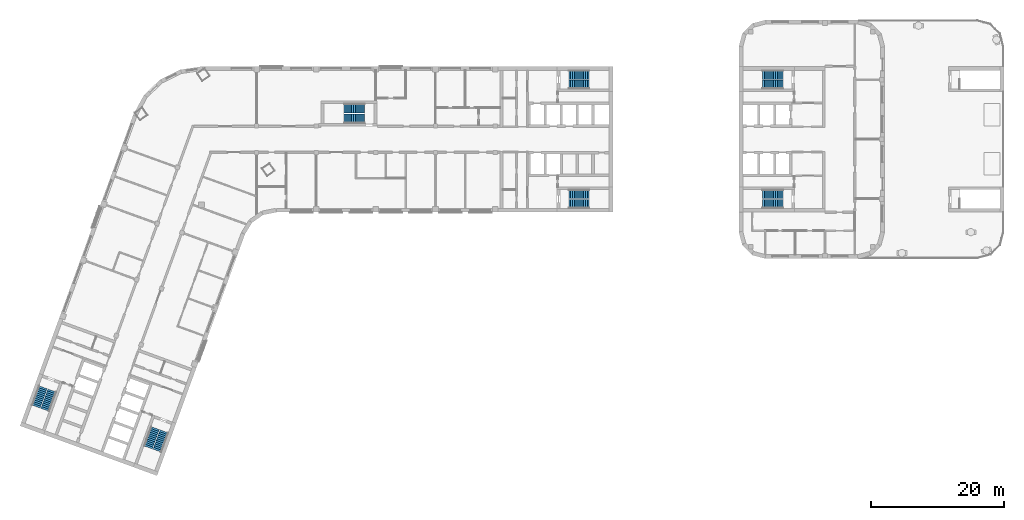
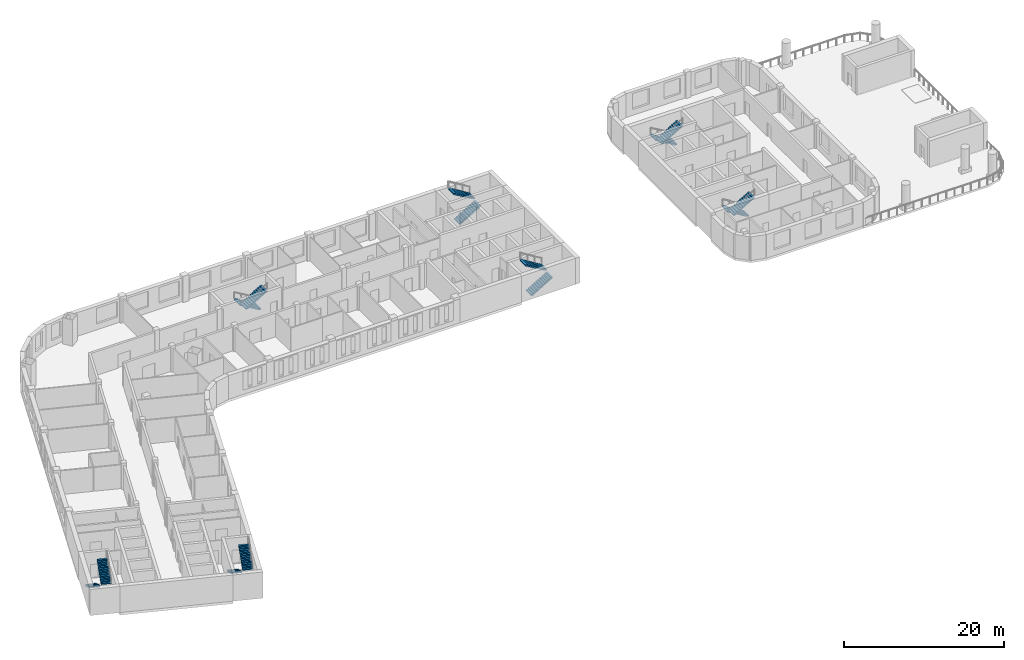
# One storey, part 10 of 14: 14 stair flights, 7 elements without a shape of their own.
"""IFC4 building model written with IfcOpenShell, lengths in metres."""

from ifc_helpers import new_model, si_unit, direction, frame, origin, place, context, subcontext, project, spatial, polyline, outline, extrude, material, type_object, element, aggregate, save


model = new_model("IFC4")

# Units and contexts
model_context = context("Model", 3, precision=1e-05, world=origin(), true_north=direction((0.0, 1.0)))
body_context = subcontext(model_context, "Body", "Model", "MODEL_VIEW")
ifc_project = project(units=[si_unit("LENGTHUNIT", "METRE"), si_unit("AREAUNIT", "SQUARE_METRE"), si_unit("VOLUMEUNIT", "CUBIC_METRE"), si_unit("PLANEANGLEUNIT", "RADIAN"), si_unit("MASSUNIT", "GRAM", prefix="KILO")], contexts=[model_context])

# Site, building, storey
site_placement = place(None, origin())
site = spatial("IfcSite", under=ifc_project, at=site_placement, CompositionType="ELEMENT")
building_placement = place(site_placement, origin())
building = spatial("IfcBuilding", under=site, at=building_placement, Name="Skarvind Civic Tower", CompositionType="ELEMENT")
storey_placement = place(building_placement, frame((0.0, 0.0, 89.0)))
storey = spatial("IfcBuildingStorey", under=building, at=storey_placement, Name="L20", CompositionType="ELEMENT", Elevation=89.0)

# Stair, stair flights
ifc_material = material(Name="Concrete C40/50", Category="concrete")
stair_type_1 = type_object("IfcStairType", Name="Exit stair 1450, half-turn, concrete", PredefinedType="HALF_TURN_STAIR", material=ifc_material)
stair_1_placement = place(storey_placement, origin())
stair_1 = element("IfcStair", 1, at=stair_1_placement, inside=storey, type_object=stair_type_1, Name="Exit stair CM", PredefinedType="HALF_TURN_STAIR")
stair_flight_type_1 = type_object("IfcStairFlightType", Name="Stair flight 1450, concrete", PredefinedType="STRAIGHT", material=ifc_material)
stair_flight_1_placement = place(storey_placement, frame((70.550048828125, 132.675048828125, 0.0), z_axis=(0.0, 0.0, 1.0), x_axis=(-1.0, 0.0, 0.0)))
stair_flight_1 = element("IfcStairFlight", 2, at=stair_flight_1_placement, type_object=stair_flight_type_1, Name="ST-CM flight 1", NumberOfRisers=12, NumberOfTreads=11, PredefinedType="STRAIGHT", RiserHeight=0.166666667, TreadLength=0.28, context=body_context, shape_type="SweptSolid", body=[
    extrude(outline(polyline([(0.0, 0.0), (0.0, 0.166748046875), (0.280029296875, 0.166748046875), (0.280029296875, 0.333251953125), (0.56005859375, 0.333251953125), (0.56005859375, 0.5), (0.840087890625, 0.5), (0.840087890625, 0.666748046875), (1.1201171875, 0.666748046875), (1.1201171875, 0.833251953125), (1.39990234375, 0.833251953125), (1.39990234375, 1.0), (1.679931640625, 1.0), (1.679931640625, 1.166748046875), (1.9599609375, 1.166748046875), (1.9599609375, 1.333251953125), (2.239990234375, 1.333251953125), (2.239990234375, 1.5), (2.52001953125, 1.5), (2.52001953125, 1.666748046875), (2.800048828125, 1.666748046875), (2.800048828125, 1.833251953125), (3.080078125, 1.833251953125), (3.080078125, 2.0), (3.080078125, 1.658935546875), (0.29296875, 0.0), (0.0, 0.0)])), frame((0.0, 0.72509765625, 0.0), z_axis=(0.0, -1.0, 0.0), x_axis=(1.0, 0.0, 0.0)), (0.0, 0.0, 1.0), 1.449951171875),
])
stair_flight_2_placement = place(storey_placement, frame((67.469970703125, 131.125, 2.0), z_axis=(0.0, 0.0, 1.0), x_axis=(1.0, 0.0, 0.0)))
stair_flight_2 = element("IfcStairFlight", 3, at=stair_flight_2_placement, type_object=stair_flight_type_1, Name="ST-CM flight 2", NumberOfRisers=12, NumberOfTreads=11, PredefinedType="STRAIGHT", RiserHeight=0.166666667, TreadLength=0.28, context=body_context, shape_type="SweptSolid", body=[
    extrude(outline(polyline([(0.0, 0.0), (0.0, 0.166748046875), (0.280029296875, 0.166748046875), (0.280029296875, 0.333251953125), (0.56005859375, 0.333251953125), (0.56005859375, 0.5), (0.840087890625, 0.5), (0.840087890625, 0.666748046875), (1.1201171875, 0.666748046875), (1.1201171875, 0.833251953125), (1.39990234375, 0.833251953125), (1.39990234375, 1.0), (1.679931640625, 1.0), (1.679931640625, 1.166748046875), (1.9599609375, 1.166748046875), (1.9599609375, 1.333251953125), (2.239990234375, 1.333251953125), (2.239990234375, 1.5), (2.52001953125, 1.5), (2.52001953125, 1.666748046875), (2.800048828125, 1.666748046875), (2.800048828125, 1.833251953125), (3.080078125, 1.833251953125), (3.080078125, 2.0), (3.080078125, 1.658935546875), (0.29296875, 0.0), (0.0, 0.0)])), frame((0.0, 0.72509765625, 0.0), z_axis=(0.0, -1.0, 0.0), x_axis=(1.0, 0.0, 0.0)), (0.0, 0.0, 1.0), 1.449951171875),
])
aggregate(stair_1, [stair_flight_1, stair_flight_2])

stair_type_2 = type_object("IfcStairType", Name="Exit stair, half-turn, concrete", PredefinedType="HALF_TURN_STAIR", material=ifc_material)
stair_2_placement = place(storey_placement, origin())
stair_2 = element("IfcStair", 4, at=stair_2_placement, inside=storey, type_object=stair_type_2, Name="Exit stair C1S", PredefinedType="HALF_TURN_STAIR")
stair_flight_type_2 = type_object("IfcStairFlightType", Name="Stair flight, concrete", PredefinedType="STRAIGHT", material=ifc_material)
stair_flight_3_placement = place(storey_placement, frame((101.35009765625, 136.27490234375, 0.0), z_axis=(0.0, 0.0, 1.0), x_axis=(1.0, 0.0, 0.0)))
stair_flight_3 = element("IfcStairFlight", 5, at=stair_flight_3_placement, type_object=stair_flight_type_2, Name="ST-C1S flight 1", NumberOfRisers=12, NumberOfTreads=11, PredefinedType="STRAIGHT", RiserHeight=0.166666667, TreadLength=0.28, context=body_context, shape_type="SweptSolid", body=[
    extrude(outline(polyline([(0.0, 0.0), (0.0, 0.166748046875), (0.280029296875, 0.166748046875), (0.280029296875, 0.333251953125), (0.56005859375, 0.333251953125), (0.56005859375, 0.5), (0.840087890625, 0.5), (0.840087890625, 0.666748046875), (1.1201171875, 0.666748046875), (1.1201171875, 0.833251953125), (1.39990234375, 0.833251953125), (1.39990234375, 1.0), (1.679931640625, 1.0), (1.679931640625, 1.166748046875), (1.9599609375, 1.166748046875), (1.9599609375, 1.333251953125), (2.239990234375, 1.333251953125), (2.239990234375, 1.5), (2.52001953125, 1.5), (2.52001953125, 1.666748046875), (2.800048828125, 1.666748046875), (2.800048828125, 1.833251953125), (3.080078125, 1.833251953125), (3.080078125, 2.0), (3.080078125, 1.658935546875), (0.29296875, 0.0), (0.0, 0.0)])), frame((0.0, 0.675048828125, 0.0), z_axis=(0.0, -1.0, 0.0), x_axis=(1.0, 0.0, 0.0)), (0.0, 0.0, 1.0), 1.35009765625),
])
stair_flight_4_placement = place(storey_placement, frame((104.429931640625, 137.72509765625, 2.0), z_axis=(0.0, 0.0, 1.0), x_axis=(-1.0, 0.0, 0.0)))
stair_flight_4 = element("IfcStairFlight", 6, at=stair_flight_4_placement, type_object=stair_flight_type_2, Name="ST-C1S flight 2", NumberOfRisers=12, NumberOfTreads=11, PredefinedType="STRAIGHT", RiserHeight=0.166666667, TreadLength=0.28, context=body_context, shape_type="SweptSolid", body=[
    extrude(outline(polyline([(0.0, 0.0), (0.0, 0.166748046875), (0.280029296875, 0.166748046875), (0.280029296875, 0.333251953125), (0.56005859375, 0.333251953125), (0.56005859375, 0.5), (0.840087890625, 0.5), (0.840087890625, 0.666748046875), (1.1201171875, 0.666748046875), (1.1201171875, 0.833251953125), (1.39990234375, 0.833251953125), (1.39990234375, 1.0), (1.679931640625, 1.0), (1.679931640625, 1.166748046875), (1.9599609375, 1.166748046875), (1.9599609375, 1.333251953125), (2.239990234375, 1.333251953125), (2.239990234375, 1.5), (2.52001953125, 1.5), (2.52001953125, 1.666748046875), (2.800048828125, 1.666748046875), (2.800048828125, 1.833251953125), (3.080078125, 1.833251953125), (3.080078125, 2.0), (3.080078125, 1.658935546875), (0.29296875, 0.0), (0.0, 0.0)])), frame((0.0, 0.675048828125, 0.0), z_axis=(0.0, -1.0, 0.0), x_axis=(1.0, 0.0, 0.0)), (0.0, 0.0, 1.0), 1.35009765625),
])
aggregate(stair_2, [stair_flight_3, stair_flight_4])

stair_3_placement = place(storey_placement, origin())
stair_3 = element("IfcStair", 7, at=stair_3_placement, inside=storey, type_object=stair_type_2, Name="Exit stair C1N", PredefinedType="HALF_TURN_STAIR")
stair_flight_5_placement = place(storey_placement, frame((101.35009765625, 118.27490234375, 0.0), z_axis=(0.0, 0.0, 1.0), x_axis=(1.0, 0.0, 0.0)))
stair_flight_5 = element("IfcStairFlight", 8, at=stair_flight_5_placement, type_object=stair_flight_type_2, Name="ST-C1N flight 1", NumberOfRisers=12, NumberOfTreads=11, PredefinedType="STRAIGHT", RiserHeight=0.166666667, TreadLength=0.28, context=body_context, shape_type="SweptSolid", body=[
    extrude(outline(polyline([(0.0, 0.0), (0.0, 0.166748046875), (0.280029296875, 0.166748046875), (0.280029296875, 0.333251953125), (0.56005859375, 0.333251953125), (0.56005859375, 0.5), (0.840087890625, 0.5), (0.840087890625, 0.666748046875), (1.1201171875, 0.666748046875), (1.1201171875, 0.833251953125), (1.39990234375, 0.833251953125), (1.39990234375, 1.0), (1.679931640625, 1.0), (1.679931640625, 1.166748046875), (1.9599609375, 1.166748046875), (1.9599609375, 1.333251953125), (2.239990234375, 1.333251953125), (2.239990234375, 1.5), (2.52001953125, 1.5), (2.52001953125, 1.666748046875), (2.800048828125, 1.666748046875), (2.800048828125, 1.833251953125), (3.080078125, 1.833251953125), (3.080078125, 2.0), (3.080078125, 1.658935546875), (0.29296875, 0.0), (0.0, 0.0)])), frame((0.0, 0.675048828125, 0.0), z_axis=(0.0, -1.0, 0.0), x_axis=(1.0, 0.0, 0.0)), (0.0, 0.0, 1.0), 1.35009765625),
])
stair_flight_6_placement = place(storey_placement, frame((104.429931640625, 119.72509765625, 2.0), z_axis=(0.0, 0.0, 1.0), x_axis=(-1.0, 0.0, 0.0)))
stair_flight_6 = element("IfcStairFlight", 9, at=stair_flight_6_placement, type_object=stair_flight_type_2, Name="ST-C1N flight 2", NumberOfRisers=12, NumberOfTreads=11, PredefinedType="STRAIGHT", RiserHeight=0.166666667, TreadLength=0.28, context=body_context, shape_type="SweptSolid", body=[
    extrude(outline(polyline([(0.0, 0.0), (0.0, 0.166748046875), (0.280029296875, 0.166748046875), (0.280029296875, 0.333251953125), (0.56005859375, 0.333251953125), (0.56005859375, 0.5), (0.840087890625, 0.5), (0.840087890625, 0.666748046875), (1.1201171875, 0.666748046875), (1.1201171875, 0.833251953125), (1.39990234375, 0.833251953125), (1.39990234375, 1.0), (1.679931640625, 1.0), (1.679931640625, 1.166748046875), (1.9599609375, 1.166748046875), (1.9599609375, 1.333251953125), (2.239990234375, 1.333251953125), (2.239990234375, 1.5), (2.52001953125, 1.5), (2.52001953125, 1.666748046875), (2.800048828125, 1.666748046875), (2.800048828125, 1.833251953125), (3.080078125, 1.833251953125), (3.080078125, 2.0), (3.080078125, 1.658935546875), (0.29296875, 0.0), (0.0, 0.0)])), frame((0.0, 0.675048828125, 0.0), z_axis=(0.0, -1.0, 0.0), x_axis=(1.0, 0.0, 0.0)), (0.0, 0.0, 1.0), 1.35009765625),
])
aggregate(stair_3, [stair_flight_5, stair_flight_6])

stair_4_placement = place(storey_placement, origin())
stair_4 = element("IfcStair", 10, at=stair_4_placement, inside=storey, type_object=stair_type_2, Name="Exit stair C2S", PredefinedType="HALF_TURN_STAIR")
stair_flight_7_placement = place(storey_placement, frame((38.949462890625, 84.43408203125, 0.0), z_axis=(0.0, 0.0, 1.0), x_axis=(-0.342020143326, -0.939692620786, 0.0)))
stair_flight_7 = element("IfcStairFlight", 11, at=stair_flight_7_placement, type_object=stair_flight_type_2, Name="ST-C2S flight 1", NumberOfRisers=12, NumberOfTreads=11, PredefinedType="STRAIGHT", RiserHeight=0.166666667, TreadLength=0.28, context=body_context, shape_type="SweptSolid", body=[
    extrude(outline(polyline([(0.0, 0.0), (0.0, 0.166748046875), (0.280029296875, 0.166748046875), (0.280029296875, 0.333251953125), (0.56005859375, 0.333251953125), (0.56005859375, 0.5), (0.840087890625, 0.5), (0.840087890625, 0.666748046875), (1.1201171875, 0.666748046875), (1.1201171875, 0.833251953125), (1.39990234375, 0.833251953125), (1.39990234375, 1.0), (1.679931640625, 1.0), (1.679931640625, 1.166748046875), (1.9599609375, 1.166748046875), (1.9599609375, 1.333251953125), (2.239990234375, 1.333251953125), (2.239990234375, 1.5), (2.52001953125, 1.5), (2.52001953125, 1.666748046875), (2.800048828125, 1.666748046875), (2.800048828125, 1.833251953125), (3.080078125, 1.833251953125), (3.080078125, 2.0), (3.080078125, 1.658935546875), (0.29296875, 0.0), (0.0, 0.0)])), frame((0.0, 0.675048828125, 0.0), z_axis=(0.0, -1.0, 0.0), x_axis=(1.0, 0.0, 0.0)), (0.0, 0.0, 1.0), 1.35009765625),
])
stair_flight_8_placement = place(storey_placement, frame((39.258544921875, 81.0439453125, 2.0), z_axis=(0.0, 0.0, 1.0), x_axis=(0.342020143326, 0.939692620786, 0.0)))
stair_flight_8 = element("IfcStairFlight", 12, at=stair_flight_8_placement, type_object=stair_flight_type_2, Name="ST-C2S flight 2", NumberOfRisers=12, NumberOfTreads=11, PredefinedType="STRAIGHT", RiserHeight=0.166666667, TreadLength=0.28, context=body_context, shape_type="SweptSolid", body=[
    extrude(outline(polyline([(0.0, 0.0), (0.0, 0.166748046875), (0.280029296875, 0.166748046875), (0.280029296875, 0.333251953125), (0.56005859375, 0.333251953125), (0.56005859375, 0.5), (0.840087890625, 0.5), (0.840087890625, 0.666748046875), (1.1201171875, 0.666748046875), (1.1201171875, 0.833251953125), (1.39990234375, 0.833251953125), (1.39990234375, 1.0), (1.679931640625, 1.0), (1.679931640625, 1.166748046875), (1.9599609375, 1.166748046875), (1.9599609375, 1.333251953125), (2.239990234375, 1.333251953125), (2.239990234375, 1.5), (2.52001953125, 1.5), (2.52001953125, 1.666748046875), (2.800048828125, 1.666748046875), (2.800048828125, 1.833251953125), (3.080078125, 1.833251953125), (3.080078125, 2.0), (3.080078125, 1.658935546875), (0.29296875, 0.0), (0.0, 0.0)])), frame((0.0, 0.675048828125, 0.0), z_axis=(0.0, -1.0, 0.0), x_axis=(1.0, 0.0, 0.0)), (0.0, 0.0, 1.0), 1.35009765625),
])
aggregate(stair_4, [stair_flight_7, stair_flight_8])

stair_5_placement = place(storey_placement, origin())
stair_5 = element("IfcStair", 13, at=stair_5_placement, inside=storey, type_object=stair_type_2, Name="Exit stair C2N", PredefinedType="HALF_TURN_STAIR")
stair_flight_9_placement = place(storey_placement, frame((22.034912109375, 90.590576171875, 0.0), z_axis=(0.0, 0.0, 1.0), x_axis=(-0.342020143326, -0.939692620786, 0.0)))
stair_flight_9 = element("IfcStairFlight", 14, at=stair_flight_9_placement, type_object=stair_flight_type_2, Name="ST-C2N flight 1", NumberOfRisers=12, NumberOfTreads=11, PredefinedType="STRAIGHT", RiserHeight=0.166666667, TreadLength=0.28, context=body_context, shape_type="SweptSolid", body=[
    extrude(outline(polyline([(0.0, 0.0), (0.0, 0.166748046875), (0.280029296875, 0.166748046875), (0.280029296875, 0.333251953125), (0.56005859375, 0.333251953125), (0.56005859375, 0.5), (0.840087890625, 0.5), (0.840087890625, 0.666748046875), (1.1201171875, 0.666748046875), (1.1201171875, 0.833251953125), (1.39990234375, 0.833251953125), (1.39990234375, 1.0), (1.679931640625, 1.0), (1.679931640625, 1.166748046875), (1.9599609375, 1.166748046875), (1.9599609375, 1.333251953125), (2.239990234375, 1.333251953125), (2.239990234375, 1.5), (2.52001953125, 1.5), (2.52001953125, 1.666748046875), (2.800048828125, 1.666748046875), (2.800048828125, 1.833251953125), (3.080078125, 1.833251953125), (3.080078125, 2.0), (3.080078125, 1.658935546875), (0.29296875, 0.0), (0.0, 0.0)])), frame((0.0, 0.675048828125, 0.0), z_axis=(0.0, -1.0, 0.0), x_axis=(1.0, 0.0, 0.0)), (0.0, 0.0, 1.0), 1.35009765625),
])
stair_flight_10_placement = place(storey_placement, frame((22.343994140625, 87.2001953125, 2.0), z_axis=(0.0, 0.0, 1.0), x_axis=(0.342020143326, 0.939692620786, 0.0)))
stair_flight_10 = element("IfcStairFlight", 15, at=stair_flight_10_placement, type_object=stair_flight_type_2, Name="ST-C2N flight 2", NumberOfRisers=12, NumberOfTreads=11, PredefinedType="STRAIGHT", RiserHeight=0.166666667, TreadLength=0.28, context=body_context, shape_type="SweptSolid", body=[
    extrude(outline(polyline([(0.0, 0.0), (0.0, 0.166748046875), (0.280029296875, 0.166748046875), (0.280029296875, 0.333251953125), (0.56005859375, 0.333251953125), (0.56005859375, 0.5), (0.840087890625, 0.5), (0.840087890625, 0.666748046875), (1.1201171875, 0.666748046875), (1.1201171875, 0.833251953125), (1.39990234375, 0.833251953125), (1.39990234375, 1.0), (1.679931640625, 1.0), (1.679931640625, 1.166748046875), (1.9599609375, 1.166748046875), (1.9599609375, 1.333251953125), (2.239990234375, 1.333251953125), (2.239990234375, 1.5), (2.52001953125, 1.5), (2.52001953125, 1.666748046875), (2.800048828125, 1.666748046875), (2.800048828125, 1.833251953125), (3.080078125, 1.833251953125), (3.080078125, 2.0), (3.080078125, 1.658935546875), (0.29296875, 0.0), (0.0, 0.0)])), frame((0.0, 0.675048828125, 0.0), z_axis=(0.0, -1.0, 0.0), x_axis=(1.0, 0.0, 0.0)), (0.0, 0.0, 1.0), 1.35009765625),
])
aggregate(stair_5, [stair_flight_9, stair_flight_10])

stair_6_placement = place(storey_placement, origin())
stair_6 = element("IfcStair", 16, at=stair_6_placement, inside=storey, type_object=stair_type_2, Name="Exit stair CAS", PredefinedType="HALF_TURN_STAIR")
stair_flight_11_placement = place(storey_placement, frame((133.64990234375, 119.72509765625, 0.0), z_axis=(0.0, 0.0, 1.0), x_axis=(-1.0, 0.0, 0.0)))
stair_flight_11 = element("IfcStairFlight", 17, at=stair_flight_11_placement, type_object=stair_flight_type_2, Name="ST-CAS flight 1", NumberOfRisers=12, NumberOfTreads=11, PredefinedType="STRAIGHT", RiserHeight=0.166666667, TreadLength=0.28, context=body_context, shape_type="SweptSolid", body=[
    extrude(outline(polyline([(0.0, 0.0), (0.0, 0.166748046875), (0.280029296875, 0.166748046875), (0.280029296875, 0.333251953125), (0.56005859375, 0.333251953125), (0.56005859375, 0.5), (0.840087890625, 0.5), (0.840087890625, 0.666748046875), (1.1201171875, 0.666748046875), (1.1201171875, 0.833251953125), (1.39990234375, 0.833251953125), (1.39990234375, 1.0), (1.679931640625, 1.0), (1.679931640625, 1.166748046875), (1.9599609375, 1.166748046875), (1.9599609375, 1.333251953125), (2.239990234375, 1.333251953125), (2.239990234375, 1.5), (2.52001953125, 1.5), (2.52001953125, 1.666748046875), (2.800048828125, 1.666748046875), (2.800048828125, 1.833251953125), (3.080078125, 1.833251953125), (3.080078125, 2.0), (3.080078125, 1.658935546875), (0.29296875, 0.0), (0.0, 0.0)])), frame((0.0, 0.675048828125, 0.0), z_axis=(0.0, -1.0, 0.0), x_axis=(1.0, 0.0, 0.0)), (0.0, 0.0, 1.0), 1.35009765625),
])
stair_flight_12_placement = place(storey_placement, frame((130.570068359375, 118.27490234375, 2.0), z_axis=(0.0, 0.0, 1.0), x_axis=(1.0, 0.0, 0.0)))
stair_flight_12 = element("IfcStairFlight", 18, at=stair_flight_12_placement, type_object=stair_flight_type_2, Name="ST-CAS flight 2", NumberOfRisers=12, NumberOfTreads=11, PredefinedType="STRAIGHT", RiserHeight=0.166666667, TreadLength=0.28, context=body_context, shape_type="SweptSolid", body=[
    extrude(outline(polyline([(0.0, 0.0), (0.0, 0.166748046875), (0.280029296875, 0.166748046875), (0.280029296875, 0.333251953125), (0.56005859375, 0.333251953125), (0.56005859375, 0.5), (0.840087890625, 0.5), (0.840087890625, 0.666748046875), (1.1201171875, 0.666748046875), (1.1201171875, 0.833251953125), (1.39990234375, 0.833251953125), (1.39990234375, 1.0), (1.679931640625, 1.0), (1.679931640625, 1.166748046875), (1.9599609375, 1.166748046875), (1.9599609375, 1.333251953125), (2.239990234375, 1.333251953125), (2.239990234375, 1.5), (2.52001953125, 1.5), (2.52001953125, 1.666748046875), (2.800048828125, 1.666748046875), (2.800048828125, 1.833251953125), (3.080078125, 1.833251953125), (3.080078125, 2.0), (3.080078125, 1.658935546875), (0.29296875, 0.0), (0.0, 0.0)])), frame((0.0, 0.675048828125, 0.0), z_axis=(0.0, -1.0, 0.0), x_axis=(1.0, 0.0, 0.0)), (0.0, 0.0, 1.0), 1.35009765625),
])
aggregate(stair_6, [stair_flight_11, stair_flight_12])

stair_7_placement = place(storey_placement, origin())
stair_7 = element("IfcStair", 19, at=stair_7_placement, inside=storey, type_object=stair_type_2, Name="Exit stair CAN", PredefinedType="HALF_TURN_STAIR")
stair_flight_13_placement = place(storey_placement, frame((133.64990234375, 137.72509765625, 0.0), z_axis=(0.0, 0.0, 1.0), x_axis=(-1.0, 0.0, 0.0)))
stair_flight_13 = element("IfcStairFlight", 20, at=stair_flight_13_placement, type_object=stair_flight_type_2, Name="ST-CAN flight 1", NumberOfRisers=12, NumberOfTreads=11, PredefinedType="STRAIGHT", RiserHeight=0.166666667, TreadLength=0.28, context=body_context, shape_type="SweptSolid", body=[
    extrude(outline(polyline([(0.0, 0.0), (0.0, 0.166748046875), (0.280029296875, 0.166748046875), (0.280029296875, 0.333251953125), (0.56005859375, 0.333251953125), (0.56005859375, 0.5), (0.840087890625, 0.5), (0.840087890625, 0.666748046875), (1.1201171875, 0.666748046875), (1.1201171875, 0.833251953125), (1.39990234375, 0.833251953125), (1.39990234375, 1.0), (1.679931640625, 1.0), (1.679931640625, 1.166748046875), (1.9599609375, 1.166748046875), (1.9599609375, 1.333251953125), (2.239990234375, 1.333251953125), (2.239990234375, 1.5), (2.52001953125, 1.5), (2.52001953125, 1.666748046875), (2.800048828125, 1.666748046875), (2.800048828125, 1.833251953125), (3.080078125, 1.833251953125), (3.080078125, 2.0), (3.080078125, 1.658935546875), (0.29296875, 0.0), (0.0, 0.0)])), frame((0.0, 0.675048828125, 0.0), z_axis=(0.0, -1.0, 0.0), x_axis=(1.0, 0.0, 0.0)), (0.0, 0.0, 1.0), 1.35009765625),
])
stair_flight_14_placement = place(storey_placement, frame((130.570068359375, 136.27490234375, 2.0), z_axis=(0.0, 0.0, 1.0), x_axis=(1.0, 0.0, 0.0)))
stair_flight_14 = element("IfcStairFlight", 21, at=stair_flight_14_placement, type_object=stair_flight_type_2, Name="ST-CAN flight 2", NumberOfRisers=12, NumberOfTreads=11, PredefinedType="STRAIGHT", RiserHeight=0.166666667, TreadLength=0.28, context=body_context, shape_type="SweptSolid", body=[
    extrude(outline(polyline([(0.0, 0.0), (0.0, 0.166748046875), (0.280029296875, 0.166748046875), (0.280029296875, 0.333251953125), (0.56005859375, 0.333251953125), (0.56005859375, 0.5), (0.840087890625, 0.5), (0.840087890625, 0.666748046875), (1.1201171875, 0.666748046875), (1.1201171875, 0.833251953125), (1.39990234375, 0.833251953125), (1.39990234375, 1.0), (1.679931640625, 1.0), (1.679931640625, 1.166748046875), (1.9599609375, 1.166748046875), (1.9599609375, 1.333251953125), (2.239990234375, 1.333251953125), (2.239990234375, 1.5), (2.52001953125, 1.5), (2.52001953125, 1.666748046875), (2.800048828125, 1.666748046875), (2.800048828125, 1.833251953125), (3.080078125, 1.833251953125), (3.080078125, 2.0), (3.080078125, 1.658935546875), (0.29296875, 0.0), (0.0, 0.0)])), frame((0.0, 0.675048828125, 0.0), z_axis=(0.0, -1.0, 0.0), x_axis=(1.0, 0.0, 0.0)), (0.0, 0.0, 1.0), 1.35009765625),
])
aggregate(stair_7, [stair_flight_13, stair_flight_14])

save(model, "model.ifc")
